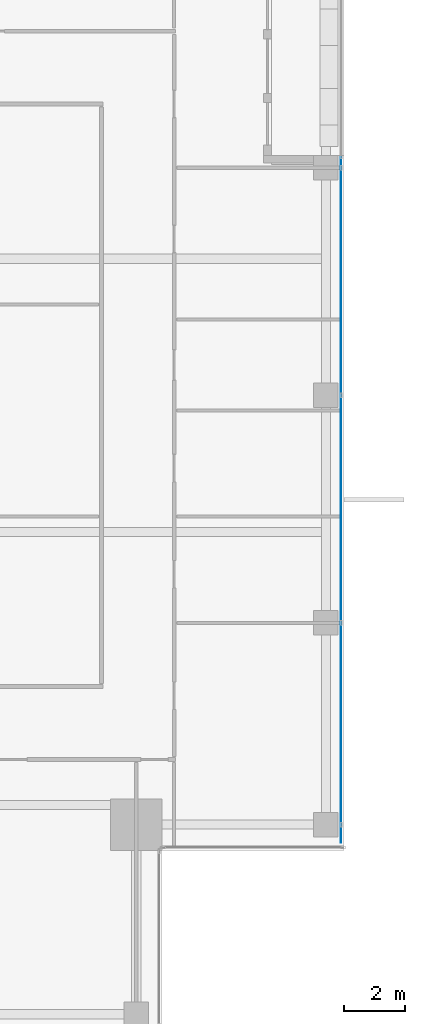
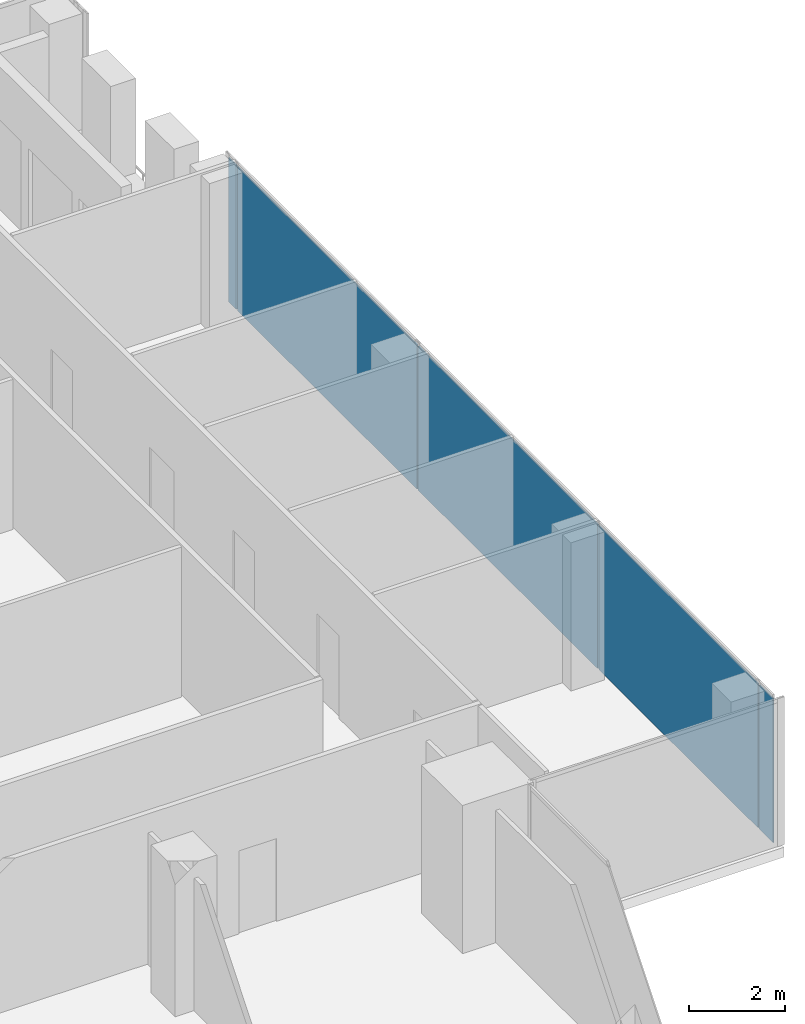
# One storey, part 20 of 28: 5 plates, 1 element without a shape of its own.
"""IFC4 building model written with IfcOpenShell, lengths in metres."""

from ifc_helpers import new_model, si_unit, direction, frame, origin, origin_2d, place, context, subcontext, project, spatial, rectangle, extrude, source, transform, mapped, material, layer, layer_set, type_object, element, aggregate, save


model = new_model("IFC4")

# Units and contexts
model_context = context("Model", 3, precision=1e-05, world=origin(), true_north=direction((0.0, 1.0)))
body_context = subcontext(model_context, "Body", "Model", "MODEL_VIEW")
ifc_project = project(units=[si_unit("LENGTHUNIT", "METRE"), si_unit("AREAUNIT", "SQUARE_METRE"), si_unit("VOLUMEUNIT", "CUBIC_METRE"), si_unit("PLANEANGLEUNIT", "RADIAN"), si_unit("MASSUNIT", "GRAM", prefix="KILO")], contexts=[model_context])

# Site, building, storey
site_placement = place(None, origin())
site = spatial("IfcSite", under=ifc_project, at=site_placement, CompositionType="ELEMENT")
building_placement = place(site_placement, origin())
building = spatial("IfcBuilding", under=site, at=building_placement, Name="Khomas Fold Tower", CompositionType="ELEMENT")
storey_placement = place(building_placement, frame((0.0, 0.0, 302.199951171875)))
storey = spatial("IfcBuildingStorey", under=building, at=storey_placement, Name="L68", CompositionType="ELEMENT", Elevation=302.199951171875)

# Curtain wall, plates
ifc_material_1 = material(Name="Aluminium framed double glazing", Category="aluminium")
curtain_wall_type = type_object("IfcCurtainWallType", Name="SK-Unitised clear-glass wall, upper floors CW3", PredefinedType="NOTDEFINED", material=ifc_material_1)
curtain_wall_placement = place(storey_placement, origin())
curtain_wall = element("IfcCurtainWall", 1, at=curtain_wall_placement, inside=storey, type_object=curtain_wall_type, Name="CW3 run L68 03-0", PredefinedType="NOTDEFINED")
ifc_material_2 = material(Name="Clear double glazed unit")
ifc_layer = layer(ifc_material_2, 0.028076171875)
ifc_layer_set = layer_set([ifc_layer], Name="Clear double glazed unit")
plate_type = type_object("IfcPlateType", Name="SK-Unitised clear-glass wall, upper floors glass panel CW3-P", PredefinedType="CURTAIN_PANEL", material=ifc_layer_set)
shared_shape_1 = source(origin(), body_context, "Body", "SweptSolid", [
    extrude(rectangle(XDim=0.574951171875, YDim=0.028076171875, at=origin_2d()), origin(), (0.0, 0.0, 1.0), 3.64990234375),
])
plate_1_placement = place(storey_placement, frame((47.89990234375, 12.53759765625, 0.0), z_axis=(0.0, 0.0, 1.0), x_axis=(0.0, 1.0, 0.0)))
plate_1 = element("IfcPlate", 2, at=plate_1_placement, type_object=plate_type, Name="CW3 glass panel 1", PredefinedType="CURTAIN_PANEL", context=body_context, shape_type="MappedRepresentation", body=[
    mapped(shared_shape_1, transform((0.0, 0.0, 0.0))),
])
shared_shape_2 = source(origin(), body_context, "Body", "SweptSolid", [
    extrude(rectangle(XDim=6.60009765625, YDim=0.028076171875, at=origin_2d()), origin(), (0.0, 0.0, 1.0), 3.64990234375),
])
plate_2_placement = place(storey_placement, frame((47.89990234375, 16.175048828125, 0.0), z_axis=(0.0, 0.0, 1.0), x_axis=(0.0, 1.0, 0.0)))
plate_2 = element("IfcPlate", 3, at=plate_2_placement, type_object=plate_type, Name="CW3 glass panel 2", PredefinedType="CURTAIN_PANEL", context=body_context, shape_type="MappedRepresentation", body=[
    mapped(shared_shape_2, transform((0.0, 0.0, 0.0))),
])
shared_shape_3 = source(origin(), body_context, "Body", "SweptSolid", [
    extrude(rectangle(XDim=7.449951171875, YDim=0.028076171875, at=origin_2d()), origin(), (0.0, 0.0, 1.0), 3.64990234375),
])
plate_3_placement = place(storey_placement, frame((47.89990234375, 23.25, 0.0), z_axis=(0.0, 0.0, 1.0), x_axis=(0.0, 1.0, 0.0)))
plate_3 = element("IfcPlate", 4, at=plate_3_placement, type_object=plate_type, Name="CW3 glass panel 3", PredefinedType="CURTAIN_PANEL", context=body_context, shape_type="MappedRepresentation", body=[
    mapped(shared_shape_3, transform((0.0, 0.0, 0.0))),
])
plate_4_placement = place(storey_placement, frame((47.89990234375, 30.75, 0.0), z_axis=(0.0, 0.0, 1.0), x_axis=(0.0, 1.0, 0.0)))
plate_4 = element("IfcPlate", 5, at=plate_4_placement, type_object=plate_type, Name="CW3 glass panel 4", PredefinedType="CURTAIN_PANEL", context=body_context, shape_type="MappedRepresentation", body=[
    mapped(shared_shape_3, transform((0.0, 0.0, 0.0))),
])
shared_shape_4 = source(origin(), body_context, "Body", "SweptSolid", [
    extrude(rectangle(XDim=0.324951171875, YDim=0.028076171875, at=origin_2d()), origin(), (0.0, 0.0, 1.0), 3.64990234375),
])
plate_5_placement = place(storey_placement, frame((47.89990234375, 34.6875, 0.0), z_axis=(0.0, 0.0, 1.0), x_axis=(0.0, 1.0, 0.0)))
plate_5 = element("IfcPlate", 6, at=plate_5_placement, type_object=plate_type, Name="CW3 glass panel 5", PredefinedType="CURTAIN_PANEL", context=body_context, shape_type="MappedRepresentation", body=[
    mapped(shared_shape_4, transform((0.0, 0.0, 0.0))),
])
aggregate(curtain_wall, [plate_1, plate_2, plate_3, plate_4, plate_5])

save(model, "model.ifc")
